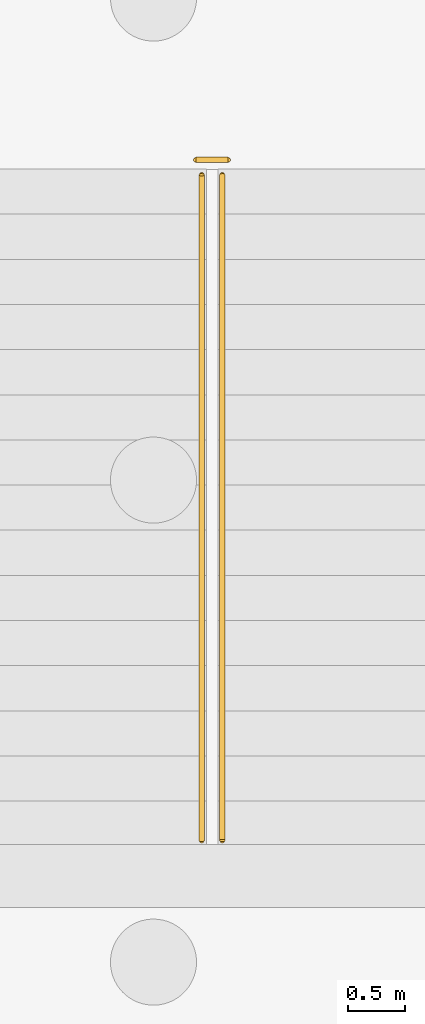
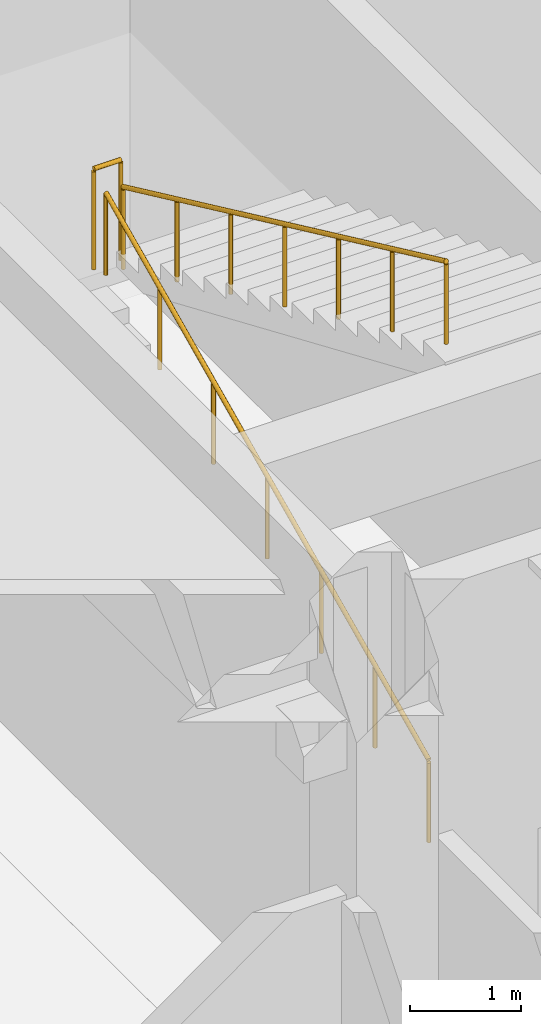
# One storey, part 52 of 59: 3 railings.
"""IFC4 building model written with IfcOpenShell, lengths in metres."""

from ifc_helpers import new_model, si_unit, direction, frame, origin, origin_2d, place, context, subcontext, project, spatial, circle, extrude, material, layer, layer_set, type_object, element, save


model = new_model("IFC4")

# Units and contexts
model_context = context("Model", 3, precision=1e-05, world=origin(), true_north=direction((0.0, 1.0)))
body_context = subcontext(model_context, "Body", "Model", "MODEL_VIEW")
ifc_project = project(units=[si_unit("LENGTHUNIT", "METRE"), si_unit("AREAUNIT", "SQUARE_METRE"), si_unit("VOLUMEUNIT", "CUBIC_METRE"), si_unit("PLANEANGLEUNIT", "RADIAN"), si_unit("MASSUNIT", "GRAM", prefix="KILO")], contexts=[model_context])

# Site, building, storey
site_placement = place(None, origin())
site = spatial("IfcSite", under=ifc_project, at=site_placement, CompositionType="ELEMENT")
building_placement = place(site_placement, origin())
building = spatial("IfcBuilding", under=site, at=building_placement, Name="Girod Span Mobility Hub", CompositionType="ELEMENT")
storey_placement = place(building_placement, origin())
storey = spatial("IfcBuildingStorey", under=building, at=storey_placement, Name="L00", CompositionType="ELEMENT", Elevation=0.0)

# Railings
ifc_material_1 = material(Name="Painted Galvanised Steel", Category="steel")
ifc_layer_1 = layer(ifc_material_1, 0.06494140625)
ifc_layer_set_1 = layer_set([ifc_layer_1], Name="Painted Galvanised Steel")
railing_type_1 = type_object("IfcRailingType", Name="RL-GRD-1120", PredefinedType="GUARDRAIL", material=ifc_layer_set_1)
railing_1_placement = place(storey_placement, frame((14.169921875, 17.7900390625, 2.699951171875)))
element("IfcRailing", 1, at=railing_1_placement, inside=storey, type_object=railing_type_1, Name="Stair ST-5 Half-Landing Well Guard L00", PredefinedType="GUARDRAIL", context=body_context, shape_type="SweptSolid", body=[
    extrude(circle(Radius=0.02392578125, at=origin_2d()), frame((0.0, 0.0, 1.09619140625), z_axis=(1.0, 0.0, 0.0), x_axis=(0.0, 1.0, 0.0)), (0.0, 0.0, 1.0), 0.280029296875),
    extrude(circle(Radius=0.02099609375, at=origin_2d()), origin(), (0.0, 0.0, 1.0), 1.072021484375),
    extrude(circle(Radius=0.02099609375, at=origin_2d()), frame((0.280029296875, 0.0, 0.0)), (0.0, 0.0, 1.0), 1.072021484375),
])
ifc_material_2 = material(Name="Painted Galvanised Steel", Category="steel")
ifc_layer_2 = layer(ifc_material_2, 0.050048828125)
ifc_layer_set_2 = layer_set([ifc_layer_2], Name="Painted Galvanised Steel")
railing_type_2 = type_object("IfcRailingType", Name="RL-HR-920", PredefinedType="HANDRAIL", material=ifc_layer_set_2)
railing_2_placement = place(storey_placement, frame((14.219970703125, 11.860107421875, 0.0)))
element("IfcRailing", 2, at=railing_2_placement, inside=storey, type_object=railing_type_2, Name="Stair ST-5 Flight 1 Handrail L00", PredefinedType="HANDRAIL", context=body_context, shape_type="SweptSolid", body=[
    extrude(circle(Radius=0.02392578125, at=origin_2d()), frame((0.0, 0.0, 0.89599609375), z_axis=(0.0, 0.90657954365, 0.422034987928), x_axis=(-1.0, 0.0, 0.0)), (0.0, 0.0, 1.0), 6.3974609375),
    extrude(circle(Radius=0.02099609375, at=origin_2d()), origin(), (0.0, 0.0, 1.0), 0.871826171875),
    extrude(circle(Radius=0.02099609375, at=origin_2d()), frame((0.0, 0.966552734375, 0.449951171875)), (0.0, 0.0, 1.0), 0.871826171875),
    extrude(circle(Radius=0.02099609375, at=origin_2d()), frame((0.0, 1.933349609375, 0.89990234375)), (0.0, 0.0, 1.0), 0.871826171875),
    extrude(circle(Radius=0.02099609375, at=origin_2d()), frame((0.0, 2.89990234375, 1.35009765625)), (0.0, 0.0, 1.0), 0.871826171875),
    extrude(circle(Radius=0.02099609375, at=origin_2d()), frame((0.0, 3.866455078125, 1.800048828125)), (0.0, 0.0, 1.0), 0.871826171875),
    extrude(circle(Radius=0.02099609375, at=origin_2d()), frame((0.0, 4.833251953125, 2.25)), (0.0, 0.0, 1.0), 0.871826171875),
    extrude(circle(Radius=0.02099609375, at=origin_2d()), frame((0.0, 5.7998046875, 2.699951171875)), (0.0, 0.0, 1.0), 0.871826171875),
])
railing_3_placement = place(storey_placement, frame((14.39990234375, 17.659912109375, 2.699951171875)))
element("IfcRailing", 3, at=railing_3_placement, inside=storey, type_object=railing_type_2, Name="Stair ST-5 Flight 2 Handrail L00", PredefinedType="HANDRAIL", context=body_context, shape_type="SweptSolid", body=[
    extrude(circle(Radius=0.02392578125, at=origin_2d()), frame((0.0, 0.0, 0.89599609375), z_axis=(0.0, -0.90657954365, 0.422034987928), x_axis=(1.0, 0.0, 0.0)), (0.0, 0.0, 1.0), 6.3974609375),
    extrude(circle(Radius=0.02099609375, at=origin_2d()), origin(), (0.0, 0.0, 1.0), 0.871826171875),
    extrude(circle(Radius=0.02099609375, at=origin_2d()), frame((0.0, -0.966552734375, 0.449951171875)), (0.0, 0.0, 1.0), 0.871826171875),
    extrude(circle(Radius=0.02099609375, at=origin_2d()), frame((0.0, -1.933349609375, 0.89990234375)), (0.0, 0.0, 1.0), 0.871826171875),
    extrude(circle(Radius=0.02099609375, at=origin_2d()), frame((0.0, -2.89990234375, 1.35009765625)), (0.0, 0.0, 1.0), 0.871826171875),
    extrude(circle(Radius=0.02099609375, at=origin_2d()), frame((0.0, -3.866455078125, 1.800048828125)), (0.0, 0.0, 1.0), 0.871826171875),
    extrude(circle(Radius=0.02099609375, at=origin_2d()), frame((0.0, -4.833251953125, 2.25)), (0.0, 0.0, 1.0), 0.871826171875),
    extrude(circle(Radius=0.02099609375, at=origin_2d()), frame((0.0, -5.7998046875, 2.699951171875)), (0.0, 0.0, 1.0), 0.871826171875),
])

save(model, "model.ifc")
